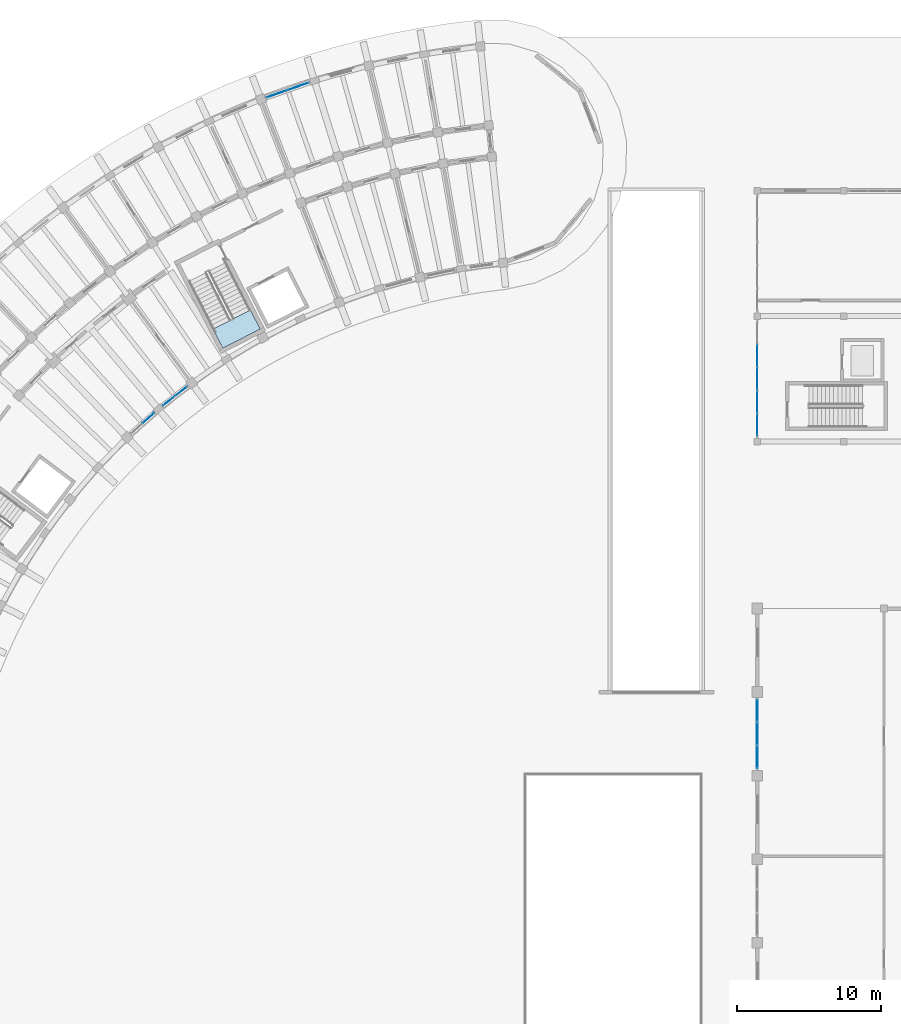
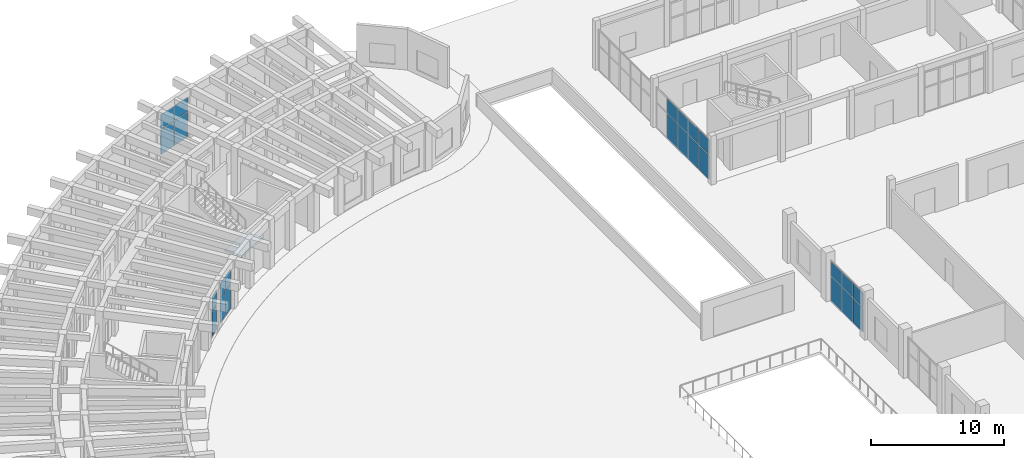
# One storey, part 78 of 132: 24 plates, 1 slab, 6 elements without a shape of their own.
"""IFC4 building model written with IfcOpenShell, lengths in metres."""

from ifc_helpers import new_model, si_unit, direction, frame, origin, origin_2d, place, context, subcontext, project, spatial, polyline, rectangle, outline, extrude, material, layer, layer_set, type_object, element, aggregate, save


model = new_model("IFC4")

# Units and contexts
model_context = context("Model", 3, precision=1e-05, world=origin(), true_north=direction((0.0, 1.0)))
body_context = subcontext(model_context, "Body", "Model", "MODEL_VIEW")
ifc_project = project(units=[si_unit("LENGTHUNIT", "METRE"), si_unit("AREAUNIT", "SQUARE_METRE"), si_unit("VOLUMEUNIT", "CUBIC_METRE"), si_unit("PLANEANGLEUNIT", "RADIAN"), si_unit("MASSUNIT", "GRAM", prefix="KILO")], contexts=[model_context])

# Site, building, storey
site_placement = place(None, origin())
site = spatial("IfcSite", under=ifc_project, at=site_placement, CompositionType="ELEMENT")
building_placement = place(site_placement, origin())
building = spatial("IfcBuilding", under=site, at=building_placement, Name="Tanwirah Colonnade Gardens", CompositionType="ELEMENT")
storey_placement = place(building_placement, origin())
storey = spatial("IfcBuildingStorey", under=building, at=storey_placement, Name="L00", CompositionType="ELEMENT", Elevation=0.0)

# Curtain wall, plates
ifc_material_1 = material(Name="Bronze-anodised aluminium and solar-control low-E glass", Category="aluminium")
curtain_wall_type_1 = type_object("IfcCurtainWallType", Name="CW-LOB", PredefinedType="NOTDEFINED", material=ifc_material_1)
curtain_wall_1_placement = place(storey_placement, origin())
curtain_wall_1 = element("IfcCurtainWall", 1, at=curtain_wall_1_placement, inside=storey, type_object=curtain_wall_type_1, Name="Curtain Wall CW-A-L00-OUT-03", PredefinedType="NOTDEFINED")
ifc_material_2 = material(Name="Solar-control low-E double glazing", Category="glass")
ifc_layer_1 = layer(ifc_material_2, 0.028076171875)
ifc_layer_set_1 = layer_set([ifc_layer_1], Name="Solar-control low-E double glazing")
plate_type_1 = type_object("IfcPlateType", Name="CWP-GLZ28", PredefinedType="CURTAIN_PANEL", material=ifc_layer_set_1)
plate_1_placement = place(storey_placement, frame((46.1474609375, 116.658447265625, 0.06005859375), z_axis=(0.0, 0.0, 1.0), x_axis=(-0.944248655073, -0.329233165694, 0.0)))
plate_1 = element("IfcPlate", 2, at=plate_1_placement, type_object=plate_type_1, Name="CW-LOB panel 1.1", PredefinedType="CURTAIN_PANEL", context=body_context, shape_type="SweptSolid", body=[
    extrude(rectangle(XDim=1.512939453125, YDim=0.028076171875, at=origin_2d()), origin(), (0.0, 0.0, 1.0), 2.238037109375),
])
plate_2_placement = place(storey_placement, frame((46.1474609375, 116.658447265625, 2.358154296875), z_axis=(0.0, 0.0, 1.0), x_axis=(-0.944248655073, -0.329233165694, 0.0)))
plate_2 = element("IfcPlate", 3, at=plate_2_placement, type_object=plate_type_1, Name="CW-LOB panel 1.2", PredefinedType="CURTAIN_PANEL", context=body_context, shape_type="SweptSolid", body=[
    extrude(rectangle(XDim=1.512939453125, YDim=0.028076171875, at=origin_2d()), origin(), (0.0, 0.0, 1.0), 1.3369140625),
])
plate_3_placement = place(storey_placement, frame((44.662353515625, 116.140625, 0.06005859375), z_axis=(0.0, 0.0, 1.0), x_axis=(-0.944248655073, -0.329233165694, 0.0)))
plate_3 = element("IfcPlate", 4, at=plate_3_placement, type_object=plate_type_1, Name="CW-LOB panel 2.1", PredefinedType="CURTAIN_PANEL", context=body_context, shape_type="SweptSolid", body=[
    extrude(rectangle(XDim=1.512939453125, YDim=0.028076171875, at=origin_2d()), origin(), (0.0, 0.0, 1.0), 2.238037109375),
])
plate_4_placement = place(storey_placement, frame((44.662353515625, 116.140625, 2.358154296875), z_axis=(0.0, 0.0, 1.0), x_axis=(-0.944248655073, -0.329233165694, 0.0)))
plate_4 = element("IfcPlate", 5, at=plate_4_placement, type_object=plate_type_1, Name="CW-LOB panel 2.2", PredefinedType="CURTAIN_PANEL", context=body_context, shape_type="SweptSolid", body=[
    extrude(rectangle(XDim=1.512939453125, YDim=0.028076171875, at=origin_2d()), origin(), (0.0, 0.0, 1.0), 1.3369140625),
])
aggregate(curtain_wall_1, [plate_1, plate_2, plate_3, plate_4])

curtain_wall_type_2 = type_object("IfcCurtainWallType", Name="CW-GDN", PredefinedType="NOTDEFINED", material=ifc_material_1)
curtain_wall_2_placement = place(storey_placement, origin())
curtain_wall_2 = element("IfcCurtainWall", 6, at=curtain_wall_2_placement, inside=storey, type_object=curtain_wall_type_2, Name="Curtain Wall CW-A-L00-IN-08", PredefinedType="NOTDEFINED")
plate_5_placement = place(storey_placement, frame((38.00390625, 95.48681640625, 0.06005859375), z_axis=(0.0, 0.0, 1.0), x_axis=(-0.786815291166, -0.617188542982, 0.0)))
plate_5 = element("IfcPlate", 7, at=plate_5_placement, type_object=plate_type_1, Name="CW-GDN panel 1.1", PredefinedType="CURTAIN_PANEL", context=body_context, shape_type="SweptSolid", body=[
    extrude(rectangle(XDim=1.01513671875, YDim=0.028076171875, at=origin_2d()), origin(), (0.0, 0.0, 1.0), 2.238037109375),
])
plate_6_placement = place(storey_placement, frame((38.00390625, 95.48681640625, 2.358154296875), z_axis=(0.0, 0.0, 1.0), x_axis=(-0.786815291166, -0.617188542982, 0.0)))
plate_6 = element("IfcPlate", 8, at=plate_6_placement, type_object=plate_type_1, Name="CW-GDN panel 1.2", PredefinedType="CURTAIN_PANEL", context=body_context, shape_type="SweptSolid", body=[
    extrude(rectangle(XDim=1.01513671875, YDim=0.028076171875, at=origin_2d()), origin(), (0.0, 0.0, 1.0), 1.3369140625),
])
plate_7_placement = place(storey_placement, frame((37.157958984375, 94.8232421875, 0.06005859375), z_axis=(0.0, 0.0, 1.0), x_axis=(-0.786815291166, -0.617188542982, 0.0)))
plate_7 = element("IfcPlate", 9, at=plate_7_placement, type_object=plate_type_1, Name="CW-GDN panel 2.1", PredefinedType="CURTAIN_PANEL", context=body_context, shape_type="SweptSolid", body=[
    extrude(rectangle(XDim=1.01513671875, YDim=0.028076171875, at=origin_2d()), origin(), (0.0, 0.0, 1.0), 2.238037109375),
])
plate_8_placement = place(storey_placement, frame((37.157958984375, 94.8232421875, 2.358154296875), z_axis=(0.0, 0.0, 1.0), x_axis=(-0.786815291166, -0.617188542982, 0.0)))
plate_8 = element("IfcPlate", 10, at=plate_8_placement, type_object=plate_type_1, Name="CW-GDN panel 2.2", PredefinedType="CURTAIN_PANEL", context=body_context, shape_type="SweptSolid", body=[
    extrude(rectangle(XDim=1.01513671875, YDim=0.028076171875, at=origin_2d()), origin(), (0.0, 0.0, 1.0), 1.3369140625),
])
aggregate(curtain_wall_2, [plate_5, plate_6, plate_7, plate_8])

curtain_wall_3_placement = place(storey_placement, origin())
curtain_wall_3 = element("IfcCurtainWall", 11, at=curtain_wall_3_placement, inside=storey, type_object=curtain_wall_type_2, Name="Curtain Wall CW-A-L00-IN-09", PredefinedType="NOTDEFINED")
plate_9_placement = place(storey_placement, frame((35.737548828125, 93.63134765625, 0.06005859375), z_axis=(0.0, 0.0, 1.0), x_axis=(-0.744440162253, -0.667689182798, 0.0)))
plate_9 = element("IfcPlate", 12, at=plate_9_placement, type_object=plate_type_1, Name="CW-GDN panel 1.1", PredefinedType="CURTAIN_PANEL", context=body_context, shape_type="SweptSolid", body=[
    extrude(rectangle(XDim=1.01513671875, YDim=0.028076171875, at=origin_2d()), origin(), (0.0, 0.0, 1.0), 2.238037109375),
])
plate_10_placement = place(storey_placement, frame((35.737548828125, 93.63134765625, 2.358154296875), z_axis=(0.0, 0.0, 1.0), x_axis=(-0.744440162253, -0.667689182798, 0.0)))
plate_10 = element("IfcPlate", 13, at=plate_10_placement, type_object=plate_type_1, Name="CW-GDN panel 1.2", PredefinedType="CURTAIN_PANEL", context=body_context, shape_type="SweptSolid", body=[
    extrude(rectangle(XDim=1.01513671875, YDim=0.028076171875, at=origin_2d()), origin(), (0.0, 0.0, 1.0), 1.3369140625),
])
aggregate(curtain_wall_3, [plate_9, plate_10])

curtain_wall_type_3 = type_object("IfcCurtainWallType", Name="CW-NUR", PredefinedType="NOTDEFINED", material=ifc_material_1)
curtain_wall_4_placement = place(storey_placement, origin())
curtain_wall_4 = element("IfcCurtainWall", 14, at=curtain_wall_4_placement, inside=storey, type_object=curtain_wall_type_3, Name="Curtain Wall CW-NUR-L00-W-1", PredefinedType="NOTDEFINED")
plate_11_placement = place(storey_placement, frame((78.0, 93.1650390625, 0.06005859375), z_axis=(0.0, 0.0, 1.0), x_axis=(0.0, 1.0, 0.0)))
plate_11 = element("IfcPlate", 15, at=plate_11_placement, type_object=plate_type_1, Name="CW-NUR panel 1.1", PredefinedType="CURTAIN_PANEL", context=body_context, shape_type="SweptSolid", body=[
    extrude(rectangle(XDim=1.510009765625, YDim=0.028076171875, at=origin_2d()), origin(), (0.0, 0.0, 1.0), 2.235107421875),
])
plate_12_placement = place(storey_placement, frame((78.0, 93.1650390625, 2.35498046875), z_axis=(0.0, 0.0, 1.0), x_axis=(0.0, 1.0, 0.0)))
plate_12 = element("IfcPlate", 16, at=plate_12_placement, type_object=plate_type_1, Name="CW-NUR panel 1.2", PredefinedType="CURTAIN_PANEL", context=body_context, shape_type="SweptSolid", body=[
    extrude(rectangle(XDim=1.510009765625, YDim=0.028076171875, at=origin_2d()), origin(), (0.0, 0.0, 1.0), 1.3349609375),
])
plate_13_placement = place(storey_placement, frame((78.0, 94.75, 0.06005859375), z_axis=(0.0, 0.0, 1.0), x_axis=(0.0, 1.0, 0.0)))
plate_13 = element("IfcPlate", 17, at=plate_13_placement, type_object=plate_type_1, Name="CW-NUR panel 2.1", PredefinedType="CURTAIN_PANEL", context=body_context, shape_type="SweptSolid", body=[
    extrude(rectangle(XDim=1.5400390625, YDim=0.028076171875, at=origin_2d()), origin(), (0.0, 0.0, 1.0), 2.235107421875),
])
plate_14_placement = place(storey_placement, frame((78.0, 94.75, 2.35498046875), z_axis=(0.0, 0.0, 1.0), x_axis=(0.0, 1.0, 0.0)))
plate_14 = element("IfcPlate", 18, at=plate_14_placement, type_object=plate_type_1, Name="CW-NUR panel 2.2", PredefinedType="CURTAIN_PANEL", context=body_context, shape_type="SweptSolid", body=[
    extrude(rectangle(XDim=1.5400390625, YDim=0.028076171875, at=origin_2d()), origin(), (0.0, 0.0, 1.0), 1.3349609375),
])
plate_15_placement = place(storey_placement, frame((78.0, 96.35009765625, 0.06005859375), z_axis=(0.0, 0.0, 1.0), x_axis=(0.0, 1.0, 0.0)))
plate_15 = element("IfcPlate", 19, at=plate_15_placement, type_object=plate_type_1, Name="CW-NUR panel 3.1", PredefinedType="CURTAIN_PANEL", context=body_context, shape_type="SweptSolid", body=[
    extrude(rectangle(XDim=1.5400390625, YDim=0.028076171875, at=origin_2d()), origin(), (0.0, 0.0, 1.0), 2.235107421875),
])
plate_16_placement = place(storey_placement, frame((78.0, 96.35009765625, 2.35498046875), z_axis=(0.0, 0.0, 1.0), x_axis=(0.0, 1.0, 0.0)))
plate_16 = element("IfcPlate", 20, at=plate_16_placement, type_object=plate_type_1, Name="CW-NUR panel 3.2", PredefinedType="CURTAIN_PANEL", context=body_context, shape_type="SweptSolid", body=[
    extrude(rectangle(XDim=1.5400390625, YDim=0.028076171875, at=origin_2d()), origin(), (0.0, 0.0, 1.0), 1.3349609375),
])
plate_17_placement = place(storey_placement, frame((78.0, 97.949951171875, 0.06005859375), z_axis=(0.0, 0.0, 1.0), x_axis=(0.0, 1.0, 0.0)))
plate_17 = element("IfcPlate", 21, at=plate_17_placement, type_object=plate_type_1, Name="CW-NUR panel 4.1", PredefinedType="CURTAIN_PANEL", context=body_context, shape_type="SweptSolid", body=[
    extrude(rectangle(XDim=1.5400390625, YDim=0.028076171875, at=origin_2d()), origin(), (0.0, 0.0, 1.0), 2.235107421875),
])
plate_18_placement = place(storey_placement, frame((78.0, 97.949951171875, 2.35498046875), z_axis=(0.0, 0.0, 1.0), x_axis=(0.0, 1.0, 0.0)))
plate_18 = element("IfcPlate", 22, at=plate_18_placement, type_object=plate_type_1, Name="CW-NUR panel 4.2", PredefinedType="CURTAIN_PANEL", context=body_context, shape_type="SweptSolid", body=[
    extrude(rectangle(XDim=1.5400390625, YDim=0.028076171875, at=origin_2d()), origin(), (0.0, 0.0, 1.0), 1.3349609375),
])
aggregate(curtain_wall_4, [plate_11, plate_12, plate_13, plate_14, plate_15, plate_16, plate_17, plate_18])

curtain_wall_type_4 = type_object("IfcCurtainWallType", Name="CW-HALL", PredefinedType="NOTDEFINED", material=ifc_material_1)
curtain_wall_5_placement = place(storey_placement, origin())
curtain_wall_5 = element("IfcCurtainWall", 23, at=curtain_wall_5_placement, inside=storey, type_object=curtain_wall_type_4, Name="Curtain Wall CW-HALL-L00-W-6", PredefinedType="NOTDEFINED")
ifc_material_3 = material(Name="Insulated bronze aluminium spandrel panel", Category="aluminium")
ifc_layer_2 = layer(ifc_material_3, 0.035888671875)
ifc_layer_set_2 = layer_set([ifc_layer_2], Name="Insulated bronze aluminium spandrel panel")
plate_type_2 = type_object("IfcPlateType", Name="CWP-SPN36", PredefinedType="CURTAIN_PANEL", material=ifc_layer_set_2)
plate_19_placement = place(storey_placement, frame((78.0, 70.0830078125, 0.06494140625), z_axis=(0.0, 0.0, 1.0), x_axis=(0.0, 1.0, 0.0)))
plate_19 = element("IfcPlate", 24, at=plate_19_placement, type_object=plate_type_2, Name="CW-HALL panel 1.1", PredefinedType="CURTAIN_PANEL", context=body_context, shape_type="SweptSolid", body=[
    extrude(rectangle(XDim=1.535888671875, YDim=0.035888671875, at=origin_2d()), origin(), (0.0, 0.0, 1.0), 2.2275390625),
])
plate_20_placement = place(storey_placement, frame((78.0, 70.0830078125, 2.357421875), z_axis=(0.0, 0.0, 1.0), x_axis=(0.0, 1.0, 0.0)))
plate_20 = element("IfcPlate", 25, at=plate_20_placement, type_object=plate_type_2, Name="CW-HALL panel 1.2", PredefinedType="CURTAIN_PANEL", context=body_context, shape_type="SweptSolid", body=[
    extrude(rectangle(XDim=1.535888671875, YDim=0.035888671875, at=origin_2d()), origin(), (0.0, 0.0, 1.0), 1.327392578125),
])
plate_21_placement = place(storey_placement, frame((78.0, 71.699951171875, 0.06494140625), z_axis=(0.0, 0.0, 1.0), x_axis=(0.0, 1.0, 0.0)))
plate_21 = element("IfcPlate", 26, at=plate_21_placement, type_object=plate_type_2, Name="CW-HALL panel 2.1", PredefinedType="CURTAIN_PANEL", context=body_context, shape_type="SweptSolid", body=[
    extrude(rectangle(XDim=1.568359375, YDim=0.035888671875, at=origin_2d()), origin(), (0.0, 0.0, 1.0), 2.2275390625),
])
plate_22_placement = place(storey_placement, frame((78.0, 71.699951171875, 2.357421875), z_axis=(0.0, 0.0, 1.0), x_axis=(0.0, 1.0, 0.0)))
plate_22 = element("IfcPlate", 27, at=plate_22_placement, type_object=plate_type_2, Name="CW-HALL panel 2.2", PredefinedType="CURTAIN_PANEL", context=body_context, shape_type="SweptSolid", body=[
    extrude(rectangle(XDim=1.568359375, YDim=0.035888671875, at=origin_2d()), origin(), (0.0, 0.0, 1.0), 1.327392578125),
])
plate_23_placement = place(storey_placement, frame((78.0, 73.317138671875, 0.06494140625), z_axis=(0.0, 0.0, 1.0), x_axis=(0.0, 1.0, 0.0)))
plate_23 = element("IfcPlate", 28, at=plate_23_placement, type_object=plate_type_2, Name="CW-HALL panel 3.1", PredefinedType="CURTAIN_PANEL", context=body_context, shape_type="SweptSolid", body=[
    extrude(rectangle(XDim=1.535888671875, YDim=0.035888671875, at=origin_2d()), origin(), (0.0, 0.0, 1.0), 2.2275390625),
])
plate_24_placement = place(storey_placement, frame((78.0, 73.317138671875, 2.357421875), z_axis=(0.0, 0.0, 1.0), x_axis=(0.0, 1.0, 0.0)))
plate_24 = element("IfcPlate", 29, at=plate_24_placement, type_object=plate_type_2, Name="CW-HALL panel 3.2", PredefinedType="CURTAIN_PANEL", context=body_context, shape_type="SweptSolid", body=[
    extrude(rectangle(XDim=1.535888671875, YDim=0.035888671875, at=origin_2d()), origin(), (0.0, 0.0, 1.0), 1.327392578125),
])
aggregate(curtain_wall_5, [plate_19, plate_20, plate_21, plate_22, plate_23, plate_24])

# Stair, slab
ifc_material_4 = material(Name="Precast concrete C40/50", Category="concrete")
stair_type = type_object("IfcStairType", Name="ST-RES170", PredefinedType="HALF_TURN_STAIR", material=ifc_material_4)
stair_placement = place(storey_placement, origin())
stair = element("IfcStair", 30, at=stair_placement, inside=storey, type_object=stair_type, Name="L00 Block A Core 1 Exit Stair", PredefinedType="HALF_TURN_STAIR")
ifc_layer_3 = layer(ifc_material_4, 0.205078125)
ifc_layer_set_3 = layer_set([ifc_layer_3], Name="Precast concrete C40/50")
slab_type = type_object("IfcSlabType", Name="SL-LND-205", PredefinedType="LANDING", material=ifc_layer_set_3)
slab_placement = place(storey_placement, frame((0.0, 0.0, 2.175048828125)))
slab = element("IfcSlab", 31, at=slab_placement, type_object=slab_type, Name="ST-A1 landing 1", PredefinedType="LANDING", context=body_context, shape_type="SweptSolid", body=[
    extrude(outline(polyline([(40.2158203125, 99.810546875), (40.89453125, 98.478515625), (43.496337890625, 99.80419921875), (42.817626953125, 101.13623046875), (40.2158203125, 99.810546875)])), origin(), (0.0, 0.0, 1.0), 0.204833984375),
])
aggregate(stair, [slab])

save(model, "model.ifc")
